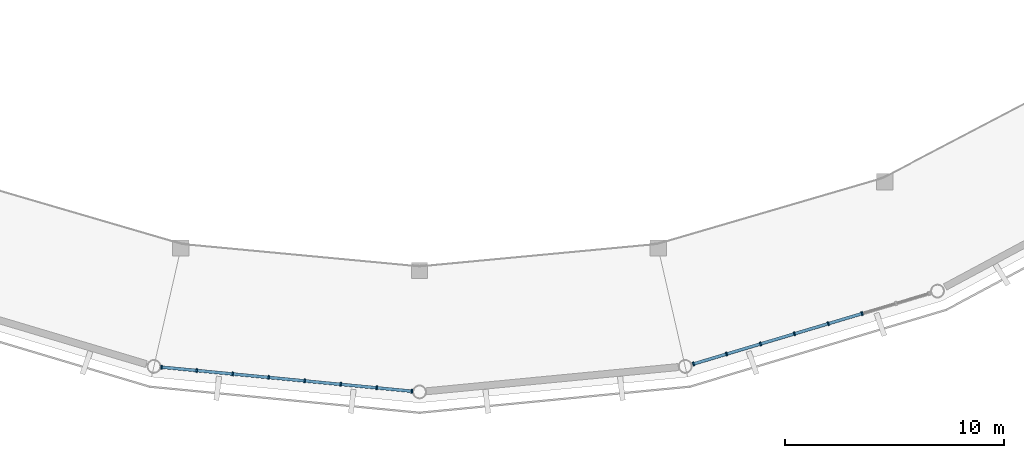
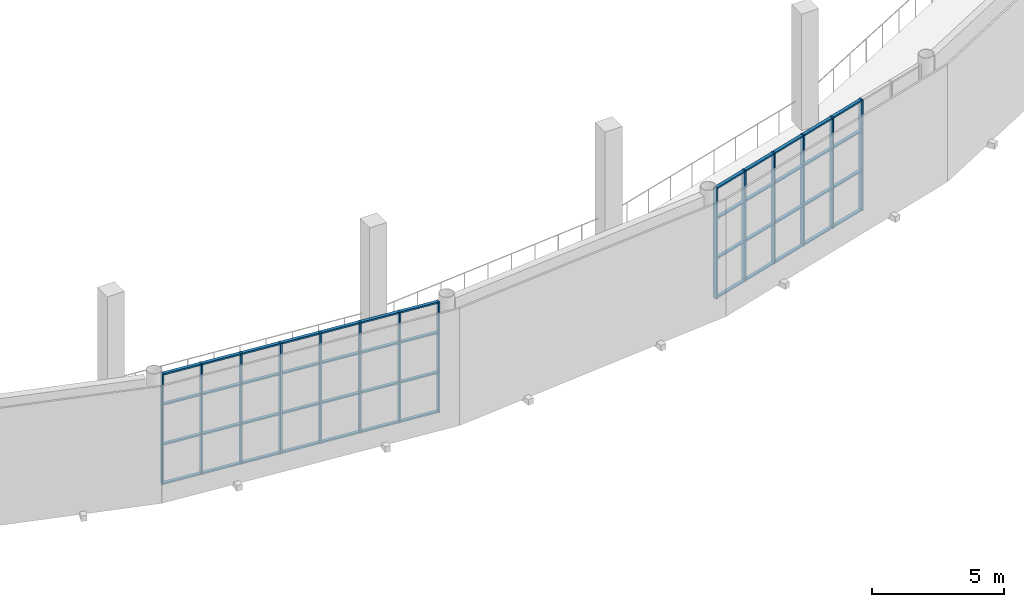
# One storey, part 13 of 40: 62 members, 2 elements without a shape of their own.
"""IFC4 building model written with IfcOpenShell, lengths in metres."""

from ifc_helpers import new_model, si_unit, direction, frame, origin, origin_2d, place, context, subcontext, project, spatial, rectangle, extrude, material, material_profile, profile_set, type_object, element, aggregate, save


model = new_model("IFC4")

# Units and contexts
model_context = context("Model", 3, precision=1e-05, world=origin(), true_north=direction((0.0, 1.0)))
body_context = subcontext(model_context, "Body", "Model", "MODEL_VIEW")
ifc_project = project(units=[si_unit("LENGTHUNIT", "METRE"), si_unit("AREAUNIT", "SQUARE_METRE"), si_unit("VOLUMEUNIT", "CUBIC_METRE"), si_unit("PLANEANGLEUNIT", "RADIAN"), si_unit("MASSUNIT", "GRAM", prefix="KILO")], contexts=[model_context])

# Site, building, storey
site_placement = place(None, origin())
site = spatial("IfcSite", under=ifc_project, at=site_placement, CompositionType="ELEMENT")
building_placement = place(site_placement, origin())
building = spatial("IfcBuilding", under=site, at=building_placement, Name="Cuetzalor Civic Arena", CompositionType="ELEMENT")
storey_placement = place(building_placement, frame((0.0, 0.0, 26.39990234375)))
storey = spatial("IfcBuildingStorey", under=building, at=storey_placement, Name="L05", CompositionType="ELEMENT", Elevation=26.39990234375)

# Curtain wall, members
ifc_material_1 = material(Name="Anodised dark bronze aluminium and low-E solar glass", Category="aluminium")
curtain_wall_type_1 = type_object("IfcCurtainWallType", Name="UnitisedCW_11550x5150", PredefinedType="USERDEFINED", material=ifc_material_1)
curtain_wall_1_placement = place(storey_placement, origin())
curtain_wall_1 = element("IfcCurtainWall", 1, at=curtain_wall_1_placement, inside=storey, type_object=curtain_wall_type_1, Name="Drum Triangle Foyer Curtain Wall L05-077", ObjectType="UNITISED CURTAIN WALL", PredefinedType="USERDEFINED")
ifc_material_2 = material(Name="Anodised dark bronze aluminium", Category="aluminium")
ifc_material_profile_1 = material_profile(ifc_material_2, rectangle(XDim=0.070068359375, YDim=0.179931640625, at=origin_2d()), Name="ALU MULLION 70x180")
ifc_profile_set_1 = profile_set([ifc_material_profile_1], Name="Anodised dark bronze aluminium")
member_type_1 = type_object("IfcMemberType", Name="CurtainWallMullion_65x180", PredefinedType="MULLION", material=ifc_profile_set_1)
member_1_placement = place(storey_placement, frame((-0.34814453125, -46.5166015625, 0.0), z_axis=(0.0, 0.0, 1.0), x_axis=(-0.995409139996, 0.095711253324, 0.0)))
member_1 = element("IfcMember", 2, at=member_1_placement, type_object=member_type_1, Name="CW-20 mullion 1", PredefinedType="MULLION", context=body_context, shape_type="SweptSolid", body=[
    extrude(rectangle(XDim=0.070068359375, YDim=0.179931640625, at=origin_2d()), origin(), (0.0, 0.0, 1.0), 5.135986328125),
])
member_2_placement = place(storey_placement, frame((-1.957763671875, -46.36181640625, 0.0), z_axis=(0.0, 0.0, 1.0), x_axis=(-0.995409139996, 0.095711253324, 0.0)))
member_2 = element("IfcMember", 3, at=member_2_placement, type_object=member_type_1, Name="CW-20 mullion 2", PredefinedType="MULLION", context=body_context, shape_type="SweptSolid", body=[
    extrude(rectangle(XDim=0.070068359375, YDim=0.179931640625, at=origin_2d()), origin(), (0.0, 0.0, 1.0), 5.135986328125),
])
member_3_placement = place(storey_placement, frame((-3.602294921875, -46.20361328125, 0.0), z_axis=(0.0, 0.0, 1.0), x_axis=(-0.995409139996, 0.095711253324, 0.0)))
member_3 = element("IfcMember", 4, at=member_3_placement, type_object=member_type_1, Name="CW-20 mullion 3", PredefinedType="MULLION", context=body_context, shape_type="SweptSolid", body=[
    extrude(rectangle(XDim=0.070068359375, YDim=0.179931640625, at=origin_2d()), origin(), (0.0, 0.0, 1.0), 5.135986328125),
])
member_4_placement = place(storey_placement, frame((-5.2470703125, -46.04541015625, 0.0), z_axis=(0.0, 0.0, 1.0), x_axis=(-0.995409139996, 0.095711253324, 0.0)))
member_4 = element("IfcMember", 5, at=member_4_placement, type_object=member_type_1, Name="CW-20 mullion 4", PredefinedType="MULLION", context=body_context, shape_type="SweptSolid", body=[
    extrude(rectangle(XDim=0.070068359375, YDim=0.179931640625, at=origin_2d()), origin(), (0.0, 0.0, 1.0), 5.135986328125),
])
member_5_placement = place(storey_placement, frame((-6.8916015625, -45.887451171875, 0.0), z_axis=(0.0, 0.0, 1.0), x_axis=(-0.995409139996, 0.095711253324, 0.0)))
member_5 = element("IfcMember", 6, at=member_5_placement, type_object=member_type_1, Name="CW-20 mullion 5", PredefinedType="MULLION", context=body_context, shape_type="SweptSolid", body=[
    extrude(rectangle(XDim=0.070068359375, YDim=0.179931640625, at=origin_2d()), origin(), (0.0, 0.0, 1.0), 5.135986328125),
])
member_6_placement = place(storey_placement, frame((-8.5361328125, -45.729248046875, 0.0), z_axis=(0.0, 0.0, 1.0), x_axis=(-0.995409139996, 0.095711253324, 0.0)))
member_6 = element("IfcMember", 7, at=member_6_placement, type_object=member_type_1, Name="CW-20 mullion 6", PredefinedType="MULLION", context=body_context, shape_type="SweptSolid", body=[
    extrude(rectangle(XDim=0.070068359375, YDim=0.179931640625, at=origin_2d()), origin(), (0.0, 0.0, 1.0), 5.135986328125),
])
member_7_placement = place(storey_placement, frame((-10.1806640625, -45.571044921875, 0.0), z_axis=(0.0, 0.0, 1.0), x_axis=(-0.995409139996, 0.095711253324, 0.0)))
member_7 = element("IfcMember", 8, at=member_7_placement, type_object=member_type_1, Name="CW-20 mullion 7", PredefinedType="MULLION", context=body_context, shape_type="SweptSolid", body=[
    extrude(rectangle(XDim=0.070068359375, YDim=0.179931640625, at=origin_2d()), origin(), (0.0, 0.0, 1.0), 5.135986328125),
])
member_8_placement = place(storey_placement, frame((-11.790283203125, -45.416259765625, 0.0), z_axis=(0.0, 0.0, 1.0), x_axis=(-0.995409139996, 0.095711253324, 0.0)))
member_8 = element("IfcMember", 9, at=member_8_placement, type_object=member_type_1, Name="CW-20 mullion 8", PredefinedType="MULLION", context=body_context, shape_type="SweptSolid", body=[
    extrude(rectangle(XDim=0.070068359375, YDim=0.179931640625, at=origin_2d()), origin(), (0.0, 0.0, 1.0), 5.135986328125),
])

ifc_material_3 = material(Name="Anodised dark bronze aluminium and low-E solar glass", Category="aluminium")
curtain_wall_type_2 = type_object("IfcCurtainWallType", Name="UnitisedCW_11300x5150", PredefinedType="USERDEFINED", material=ifc_material_3)
curtain_wall_2_placement = place(storey_placement, origin())
curtain_wall_2 = element("IfcCurtainWall", 10, at=curtain_wall_2_placement, inside=storey, type_object=curtain_wall_type_2, Name="Drum Triangle Foyer Curtain Wall L05-078", ObjectType="UNITISED CURTAIN WALL", PredefinedType="USERDEFINED")
member_9_placement = place(storey_placement, frame((20.2255859375, -42.968017578125, 0.0), z_axis=(0.0, 0.0, 1.0), x_axis=(-0.958193690548, -0.286120344251, 0.0)))
member_9 = element("IfcMember", 11, at=member_9_placement, type_object=member_type_1, Name="CW-21 mullion 3", PredefinedType="MULLION", context=body_context, shape_type="SweptSolid", body=[
    extrude(rectangle(XDim=0.070068359375, YDim=0.179931640625, at=origin_2d()), origin(), (0.0, 0.0, 1.0), 5.135986328125),
])
member_10_placement = place(storey_placement, frame((18.677490234375, -43.430419921875, 0.0), z_axis=(0.0, 0.0, 1.0), x_axis=(-0.958193690548, -0.286120344251, 0.0)))
member_10 = element("IfcMember", 12, at=member_10_placement, type_object=member_type_1, Name="CW-21 mullion 4", PredefinedType="MULLION", context=body_context, shape_type="SweptSolid", body=[
    extrude(rectangle(XDim=0.070068359375, YDim=0.179931640625, at=origin_2d()), origin(), (0.0, 0.0, 1.0), 5.135986328125),
])
member_11_placement = place(storey_placement, frame((17.12939453125, -43.892578125, 0.0), z_axis=(0.0, 0.0, 1.0), x_axis=(-0.958193690548, -0.286120344251, 0.0)))
member_11 = element("IfcMember", 13, at=member_11_placement, type_object=member_type_1, Name="CW-21 mullion 5", PredefinedType="MULLION", context=body_context, shape_type="SweptSolid", body=[
    extrude(rectangle(XDim=0.070068359375, YDim=0.179931640625, at=origin_2d()), origin(), (0.0, 0.0, 1.0), 5.135986328125),
])
member_12_placement = place(storey_placement, frame((15.581298828125, -44.35498046875, 0.0), z_axis=(0.0, 0.0, 1.0), x_axis=(-0.958193690548, -0.286120344251, 0.0)))
member_12 = element("IfcMember", 14, at=member_12_placement, type_object=member_type_1, Name="CW-21 mullion 6", PredefinedType="MULLION", context=body_context, shape_type="SweptSolid", body=[
    extrude(rectangle(XDim=0.070068359375, YDim=0.179931640625, at=origin_2d()), origin(), (0.0, 0.0, 1.0), 5.135986328125),
])
member_13_placement = place(storey_placement, frame((14.032958984375, -44.817138671875, 0.0), z_axis=(0.0, 0.0, 1.0), x_axis=(-0.958193690548, -0.286120344251, 0.0)))
member_13 = element("IfcMember", 15, at=member_13_placement, type_object=member_type_1, Name="CW-21 mullion 7", PredefinedType="MULLION", context=body_context, shape_type="SweptSolid", body=[
    extrude(rectangle(XDim=0.070068359375, YDim=0.179931640625, at=origin_2d()), origin(), (0.0, 0.0, 1.0), 5.135986328125),
])
member_14_placement = place(storey_placement, frame((12.5185546875, -45.26953125, 0.0), z_axis=(0.0, 0.0, 1.0), x_axis=(-0.958193690548, -0.286120344251, 0.0)))
member_14 = element("IfcMember", 16, at=member_14_placement, type_object=member_type_1, Name="CW-21 mullion 8", PredefinedType="MULLION", context=body_context, shape_type="SweptSolid", body=[
    extrude(rectangle(XDim=0.070068359375, YDim=0.179931640625, at=origin_2d()), origin(), (0.0, 0.0, 1.0), 5.135986328125),
])

# Member
ifc_material_4 = material(Name="Anodised dark bronze aluminium", Category="aluminium")
ifc_material_profile_2 = material_profile(ifc_material_4, rectangle(XDim=0.139892578125, YDim=0.070068359375, at=origin_2d()), Name="ALU TRANSOM 70x140")
ifc_profile_set_2 = profile_set([ifc_material_profile_2], Name="Anodised dark bronze aluminium")
member_type_2 = type_object("IfcMemberType", Name="CurtainWallTransom_65x140", PredefinedType="USERDEFINED", material=ifc_profile_set_2)
member_15_placement = place(storey_placement, frame((-0.383056640625, -46.51318359375, 0.03515625), z_axis=(-0.995417120932, 0.095628214218, 0.0), x_axis=(-0.095628214218, -0.995417120932, 0.0)))
member_15 = element("IfcMember", 17, at=member_15_placement, type_object=member_type_2, Name="CW-20 transom 1.1", ObjectType="TRANSOM", PredefinedType="USERDEFINED", context=body_context, shape_type="SweptSolid", body=[
    extrude(rectangle(XDim=0.139892578125, YDim=0.070068359375, at=origin_2d()), origin(), (0.0, 0.0, 1.0), 1.547119140625),
])

member_16_placement = place(storey_placement, frame((-0.383056640625, -46.51318359375, 1.84912109375), z_axis=(-0.995417120932, 0.095628214218, 0.0), x_axis=(-0.095628214218, -0.995417120932, 0.0)))
member_16 = element("IfcMember", 18, at=member_16_placement, type_object=member_type_2, Name="CW-20 transom 1.2", ObjectType="TRANSOM", PredefinedType="USERDEFINED", context=body_context, shape_type="SweptSolid", body=[
    extrude(rectangle(XDim=0.139892578125, YDim=0.070068359375, at=origin_2d()), origin(), (0.0, 0.0, 1.0), 1.547119140625),
])

member_17_placement = place(storey_placement, frame((-0.383056640625, -46.51318359375, 3.697998046875), z_axis=(-0.995417120932, 0.095628214218, 0.0), x_axis=(-0.095628214218, -0.995417120932, 0.0)))
member_17 = element("IfcMember", 19, at=member_17_placement, type_object=member_type_2, Name="CW-20 transom 1.3", ObjectType="TRANSOM", PredefinedType="USERDEFINED", context=body_context, shape_type="SweptSolid", body=[
    extrude(rectangle(XDim=0.139892578125, YDim=0.070068359375, at=origin_2d()), origin(), (0.0, 0.0, 1.0), 1.547119140625),
])

member_18_placement = place(storey_placement, frame((-0.383056640625, -46.51318359375, 5.10107421875), z_axis=(-0.995417120932, 0.095628214218, 0.0), x_axis=(-0.095628214218, -0.995417120932, 0.0)))
member_18 = element("IfcMember", 20, at=member_18_placement, type_object=member_type_2, Name="CW-20 transom 1.4", ObjectType="TRANSOM", PredefinedType="USERDEFINED", context=body_context, shape_type="SweptSolid", body=[
    extrude(rectangle(XDim=0.139892578125, YDim=0.070068359375, at=origin_2d()), origin(), (0.0, 0.0, 1.0), 1.547119140625),
])

member_19_placement = place(storey_placement, frame((-1.99267578125, -46.3583984375, 0.03515625), z_axis=(-0.99541326879, 0.09566830362, 0.0), x_axis=(-0.09566830362, -0.99541326879, 0.0)))
member_19 = element("IfcMember", 21, at=member_19_placement, type_object=member_type_2, Name="CW-20 transom 2.1", ObjectType="TRANSOM", PredefinedType="USERDEFINED", context=body_context, shape_type="SweptSolid", body=[
    extrude(rectangle(XDim=0.139892578125, YDim=0.070068359375, at=origin_2d()), origin(), (0.0, 0.0, 1.0), 1.582275390625),
])

member_20_placement = place(storey_placement, frame((-1.99267578125, -46.3583984375, 1.84912109375), z_axis=(-0.99541326879, 0.09566830362, 0.0), x_axis=(-0.09566830362, -0.99541326879, 0.0)))
member_20 = element("IfcMember", 22, at=member_20_placement, type_object=member_type_2, Name="CW-20 transom 2.2", ObjectType="TRANSOM", PredefinedType="USERDEFINED", context=body_context, shape_type="SweptSolid", body=[
    extrude(rectangle(XDim=0.139892578125, YDim=0.070068359375, at=origin_2d()), origin(), (0.0, 0.0, 1.0), 1.582275390625),
])

member_21_placement = place(storey_placement, frame((-1.99267578125, -46.3583984375, 3.697998046875), z_axis=(-0.99541326879, 0.09566830362, 0.0), x_axis=(-0.09566830362, -0.99541326879, 0.0)))
member_21 = element("IfcMember", 23, at=member_21_placement, type_object=member_type_2, Name="CW-20 transom 2.3", ObjectType="TRANSOM", PredefinedType="USERDEFINED", context=body_context, shape_type="SweptSolid", body=[
    extrude(rectangle(XDim=0.139892578125, YDim=0.070068359375, at=origin_2d()), origin(), (0.0, 0.0, 1.0), 1.582275390625),
])

member_22_placement = place(storey_placement, frame((-1.99267578125, -46.3583984375, 5.10107421875), z_axis=(-0.99541326879, 0.09566830362, 0.0), x_axis=(-0.09566830362, -0.99541326879, 0.0)))
member_22 = element("IfcMember", 24, at=member_22_placement, type_object=member_type_2, Name="CW-20 transom 2.4", ObjectType="TRANSOM", PredefinedType="USERDEFINED", context=body_context, shape_type="SweptSolid", body=[
    extrude(rectangle(XDim=0.139892578125, YDim=0.070068359375, at=origin_2d()), origin(), (0.0, 0.0, 1.0), 1.582275390625),
])

member_23_placement = place(storey_placement, frame((-3.63720703125, -46.2001953125, 0.03515625), z_axis=(-0.99541326879, 0.09566830362, 0.0), x_axis=(-0.09566830362, -0.99541326879, 0.0)))
member_23 = element("IfcMember", 25, at=member_23_placement, type_object=member_type_2, Name="CW-20 transom 3.1", ObjectType="TRANSOM", PredefinedType="USERDEFINED", context=body_context, shape_type="SweptSolid", body=[
    extrude(rectangle(XDim=0.139892578125, YDim=0.070068359375, at=origin_2d()), origin(), (0.0, 0.0, 1.0), 1.582275390625),
])

member_24_placement = place(storey_placement, frame((-3.63720703125, -46.2001953125, 1.84912109375), z_axis=(-0.99541326879, 0.09566830362, 0.0), x_axis=(-0.09566830362, -0.99541326879, 0.0)))
member_24 = element("IfcMember", 26, at=member_24_placement, type_object=member_type_2, Name="CW-20 transom 3.2", ObjectType="TRANSOM", PredefinedType="USERDEFINED", context=body_context, shape_type="SweptSolid", body=[
    extrude(rectangle(XDim=0.139892578125, YDim=0.070068359375, at=origin_2d()), origin(), (0.0, 0.0, 1.0), 1.582275390625),
])

member_25_placement = place(storey_placement, frame((-3.63720703125, -46.2001953125, 3.697998046875), z_axis=(-0.99541326879, 0.09566830362, 0.0), x_axis=(-0.09566830362, -0.99541326879, 0.0)))
member_25 = element("IfcMember", 27, at=member_25_placement, type_object=member_type_2, Name="CW-20 transom 3.3", ObjectType="TRANSOM", PredefinedType="USERDEFINED", context=body_context, shape_type="SweptSolid", body=[
    extrude(rectangle(XDim=0.139892578125, YDim=0.070068359375, at=origin_2d()), origin(), (0.0, 0.0, 1.0), 1.582275390625),
])

member_26_placement = place(storey_placement, frame((-3.63720703125, -46.2001953125, 5.10107421875), z_axis=(-0.99541326879, 0.09566830362, 0.0), x_axis=(-0.09566830362, -0.99541326879, 0.0)))
member_26 = element("IfcMember", 28, at=member_26_placement, type_object=member_type_2, Name="CW-20 transom 3.4", ObjectType="TRANSOM", PredefinedType="USERDEFINED", context=body_context, shape_type="SweptSolid", body=[
    extrude(rectangle(XDim=0.139892578125, YDim=0.070068359375, at=origin_2d()), origin(), (0.0, 0.0, 1.0), 1.582275390625),
])

member_27_placement = place(storey_placement, frame((-5.28173828125, -46.042236328125, 0.03515625), z_axis=(-0.995398563, 0.095821191695, 0.0), x_axis=(-0.095821191695, -0.995398563, 0.0)))
member_27 = element("IfcMember", 29, at=member_27_placement, type_object=member_type_2, Name="CW-20 transom 4.1", ObjectType="TRANSOM", PredefinedType="USERDEFINED", context=body_context, shape_type="SweptSolid", body=[
    extrude(rectangle(XDim=0.139892578125, YDim=0.070068359375, at=origin_2d()), origin(), (0.0, 0.0, 1.0), 1.582275390625),
])

member_28_placement = place(storey_placement, frame((-5.28173828125, -46.042236328125, 1.84912109375), z_axis=(-0.995398563, 0.095821191695, 0.0), x_axis=(-0.095821191695, -0.995398563, 0.0)))
member_28 = element("IfcMember", 30, at=member_28_placement, type_object=member_type_2, Name="CW-20 transom 4.2", ObjectType="TRANSOM", PredefinedType="USERDEFINED", context=body_context, shape_type="SweptSolid", body=[
    extrude(rectangle(XDim=0.139892578125, YDim=0.070068359375, at=origin_2d()), origin(), (0.0, 0.0, 1.0), 1.582275390625),
])

member_29_placement = place(storey_placement, frame((-5.28173828125, -46.042236328125, 3.697998046875), z_axis=(-0.995398563, 0.095821191695, 0.0), x_axis=(-0.095821191695, -0.995398563, 0.0)))
member_29 = element("IfcMember", 31, at=member_29_placement, type_object=member_type_2, Name="CW-20 transom 4.3", ObjectType="TRANSOM", PredefinedType="USERDEFINED", context=body_context, shape_type="SweptSolid", body=[
    extrude(rectangle(XDim=0.139892578125, YDim=0.070068359375, at=origin_2d()), origin(), (0.0, 0.0, 1.0), 1.582275390625),
])

member_30_placement = place(storey_placement, frame((-5.28173828125, -46.042236328125, 5.10107421875), z_axis=(-0.995398563, 0.095821191695, 0.0), x_axis=(-0.095821191695, -0.995398563, 0.0)))
member_30 = element("IfcMember", 32, at=member_30_placement, type_object=member_type_2, Name="CW-20 transom 4.4", ObjectType="TRANSOM", PredefinedType="USERDEFINED", context=body_context, shape_type="SweptSolid", body=[
    extrude(rectangle(XDim=0.139892578125, YDim=0.070068359375, at=origin_2d()), origin(), (0.0, 0.0, 1.0), 1.582275390625),
])

member_31_placement = place(storey_placement, frame((-6.92626953125, -45.884033203125, 0.03515625), z_axis=(-0.99541326879, 0.09566830362, 0.0), x_axis=(-0.09566830362, -0.99541326879, 0.0)))
member_31 = element("IfcMember", 33, at=member_31_placement, type_object=member_type_2, Name="CW-20 transom 5.1", ObjectType="TRANSOM", PredefinedType="USERDEFINED", context=body_context, shape_type="SweptSolid", body=[
    extrude(rectangle(XDim=0.139892578125, YDim=0.070068359375, at=origin_2d()), origin(), (0.0, 0.0, 1.0), 1.582275390625),
])

member_32_placement = place(storey_placement, frame((-6.92626953125, -45.884033203125, 1.84912109375), z_axis=(-0.99541326879, 0.09566830362, 0.0), x_axis=(-0.09566830362, -0.99541326879, 0.0)))
member_32 = element("IfcMember", 34, at=member_32_placement, type_object=member_type_2, Name="CW-20 transom 5.2", ObjectType="TRANSOM", PredefinedType="USERDEFINED", context=body_context, shape_type="SweptSolid", body=[
    extrude(rectangle(XDim=0.139892578125, YDim=0.070068359375, at=origin_2d()), origin(), (0.0, 0.0, 1.0), 1.582275390625),
])

member_33_placement = place(storey_placement, frame((-6.92626953125, -45.884033203125, 3.697998046875), z_axis=(-0.99541326879, 0.09566830362, 0.0), x_axis=(-0.09566830362, -0.99541326879, 0.0)))
member_33 = element("IfcMember", 35, at=member_33_placement, type_object=member_type_2, Name="CW-20 transom 5.3", ObjectType="TRANSOM", PredefinedType="USERDEFINED", context=body_context, shape_type="SweptSolid", body=[
    extrude(rectangle(XDim=0.139892578125, YDim=0.070068359375, at=origin_2d()), origin(), (0.0, 0.0, 1.0), 1.582275390625),
])

member_34_placement = place(storey_placement, frame((-6.92626953125, -45.884033203125, 5.10107421875), z_axis=(-0.99541326879, 0.09566830362, 0.0), x_axis=(-0.09566830362, -0.99541326879, 0.0)))
member_34 = element("IfcMember", 36, at=member_34_placement, type_object=member_type_2, Name="CW-20 transom 5.4", ObjectType="TRANSOM", PredefinedType="USERDEFINED", context=body_context, shape_type="SweptSolid", body=[
    extrude(rectangle(XDim=0.139892578125, YDim=0.070068359375, at=origin_2d()), origin(), (0.0, 0.0, 1.0), 1.582275390625),
])

member_35_placement = place(storey_placement, frame((-8.571044921875, -45.725830078125, 0.03515625), z_axis=(-0.995411856211, 0.095683000132, 0.0), x_axis=(-0.095683000132, -0.995411856211, 0.0)))
member_35 = element("IfcMember", 37, at=member_35_placement, type_object=member_type_2, Name="CW-20 transom 6.1", ObjectType="TRANSOM", PredefinedType="USERDEFINED", context=body_context, shape_type="SweptSolid", body=[
    extrude(rectangle(XDim=0.139892578125, YDim=0.070068359375, at=origin_2d()), origin(), (0.0, 0.0, 1.0), 1.58203125),
])

member_36_placement = place(storey_placement, frame((-8.571044921875, -45.725830078125, 1.84912109375), z_axis=(-0.995411856211, 0.095683000132, 0.0), x_axis=(-0.095683000132, -0.995411856211, 0.0)))
member_36 = element("IfcMember", 38, at=member_36_placement, type_object=member_type_2, Name="CW-20 transom 6.2", ObjectType="TRANSOM", PredefinedType="USERDEFINED", context=body_context, shape_type="SweptSolid", body=[
    extrude(rectangle(XDim=0.139892578125, YDim=0.070068359375, at=origin_2d()), origin(), (0.0, 0.0, 1.0), 1.58203125),
])

member_37_placement = place(storey_placement, frame((-8.571044921875, -45.725830078125, 3.697998046875), z_axis=(-0.995411856211, 0.095683000132, 0.0), x_axis=(-0.095683000132, -0.995411856211, 0.0)))
member_37 = element("IfcMember", 39, at=member_37_placement, type_object=member_type_2, Name="CW-20 transom 6.3", ObjectType="TRANSOM", PredefinedType="USERDEFINED", context=body_context, shape_type="SweptSolid", body=[
    extrude(rectangle(XDim=0.139892578125, YDim=0.070068359375, at=origin_2d()), origin(), (0.0, 0.0, 1.0), 1.58203125),
])

member_38_placement = place(storey_placement, frame((-8.571044921875, -45.725830078125, 5.10107421875), z_axis=(-0.995411856211, 0.095683000132, 0.0), x_axis=(-0.095683000132, -0.995411856211, 0.0)))
member_38 = element("IfcMember", 40, at=member_38_placement, type_object=member_type_2, Name="CW-20 transom 6.4", ObjectType="TRANSOM", PredefinedType="USERDEFINED", context=body_context, shape_type="SweptSolid", body=[
    extrude(rectangle(XDim=0.139892578125, YDim=0.070068359375, at=origin_2d()), origin(), (0.0, 0.0, 1.0), 1.58203125),
])

member_39_placement = place(storey_placement, frame((-10.215576171875, -45.56787109375, 0.03515625), z_axis=(-0.995402087681, 0.095784569946, 0.0), x_axis=(-0.095784569946, -0.995402087681, 0.0)))
member_39 = element("IfcMember", 41, at=member_39_placement, type_object=member_type_2, Name="CW-20 transom 7.1", ObjectType="TRANSOM", PredefinedType="USERDEFINED", context=body_context, shape_type="SweptSolid", body=[
    extrude(rectangle(XDim=0.139892578125, YDim=0.070068359375, at=origin_2d()), origin(), (0.0, 0.0, 1.0), 1.547119140625),
])

member_40_placement = place(storey_placement, frame((-10.215576171875, -45.56787109375, 1.84912109375), z_axis=(-0.995402087681, 0.095784569946, 0.0), x_axis=(-0.095784569946, -0.995402087681, 0.0)))
member_40 = element("IfcMember", 42, at=member_40_placement, type_object=member_type_2, Name="CW-20 transom 7.2", ObjectType="TRANSOM", PredefinedType="USERDEFINED", context=body_context, shape_type="SweptSolid", body=[
    extrude(rectangle(XDim=0.139892578125, YDim=0.070068359375, at=origin_2d()), origin(), (0.0, 0.0, 1.0), 1.547119140625),
])

member_41_placement = place(storey_placement, frame((-10.215576171875, -45.56787109375, 3.697998046875), z_axis=(-0.995402087681, 0.095784569946, 0.0), x_axis=(-0.095784569946, -0.995402087681, 0.0)))
member_41 = element("IfcMember", 43, at=member_41_placement, type_object=member_type_2, Name="CW-20 transom 7.3", ObjectType="TRANSOM", PredefinedType="USERDEFINED", context=body_context, shape_type="SweptSolid", body=[
    extrude(rectangle(XDim=0.139892578125, YDim=0.070068359375, at=origin_2d()), origin(), (0.0, 0.0, 1.0), 1.547119140625),
])

member_42_placement = place(storey_placement, frame((-10.215576171875, -45.56787109375, 5.10107421875), z_axis=(-0.995402087681, 0.095784569946, 0.0), x_axis=(-0.095784569946, -0.995402087681, 0.0)))
member_42 = element("IfcMember", 44, at=member_42_placement, type_object=member_type_2, Name="CW-20 transom 7.4", ObjectType="TRANSOM", PredefinedType="USERDEFINED", context=body_context, shape_type="SweptSolid", body=[
    extrude(rectangle(XDim=0.139892578125, YDim=0.070068359375, at=origin_2d()), origin(), (0.0, 0.0, 1.0), 1.547119140625),
])

aggregate(curtain_wall_1, [member_1, member_2, member_3, member_4, member_5, member_6, member_7, member_8, member_15, member_16, member_17, member_18, member_19, member_20, member_21, member_22, member_23, member_24, member_25, member_26, member_27, member_28, member_29, member_30, member_31, member_32, member_33, member_34, member_35, member_36, member_37, member_38, member_39, member_40, member_41, member_42])

member_43_placement = place(storey_placement, frame((20.192138671875, -42.97802734375, 0.03515625), z_axis=(-0.958164717752, -0.286217353869, 0.0), x_axis=(0.286217353869, -0.958164717752, 0.0)))
member_43 = element("IfcMember", 45, at=member_43_placement, type_object=member_type_2, Name="CW-21 transom 3.1", ObjectType="TRANSOM", PredefinedType="USERDEFINED", context=body_context, shape_type="SweptSolid", body=[
    extrude(rectangle(XDim=0.139892578125, YDim=0.070068359375, at=origin_2d()), origin(), (0.0, 0.0, 1.0), 1.545654296875),
])

member_44_placement = place(storey_placement, frame((20.192138671875, -42.97802734375, 1.84912109375), z_axis=(-0.958164717752, -0.286217353869, 0.0), x_axis=(0.286217353869, -0.958164717752, 0.0)))
member_44 = element("IfcMember", 46, at=member_44_placement, type_object=member_type_2, Name="CW-21 transom 3.2", ObjectType="TRANSOM", PredefinedType="USERDEFINED", context=body_context, shape_type="SweptSolid", body=[
    extrude(rectangle(XDim=0.139892578125, YDim=0.070068359375, at=origin_2d()), origin(), (0.0, 0.0, 1.0), 1.545654296875),
])

member_45_placement = place(storey_placement, frame((20.192138671875, -42.97802734375, 3.697998046875), z_axis=(-0.958164717752, -0.286217353869, 0.0), x_axis=(0.286217353869, -0.958164717752, 0.0)))
member_45 = element("IfcMember", 47, at=member_45_placement, type_object=member_type_2, Name="CW-21 transom 3.3", ObjectType="TRANSOM", PredefinedType="USERDEFINED", context=body_context, shape_type="SweptSolid", body=[
    extrude(rectangle(XDim=0.139892578125, YDim=0.070068359375, at=origin_2d()), origin(), (0.0, 0.0, 1.0), 1.545654296875),
])

member_46_placement = place(storey_placement, frame((20.192138671875, -42.97802734375, 5.10107421875), z_axis=(-0.958164717752, -0.286217353869, 0.0), x_axis=(0.286217353869, -0.958164717752, 0.0)))
member_46 = element("IfcMember", 48, at=member_46_placement, type_object=member_type_2, Name="CW-21 transom 3.4", ObjectType="TRANSOM", PredefinedType="USERDEFINED", context=body_context, shape_type="SweptSolid", body=[
    extrude(rectangle(XDim=0.139892578125, YDim=0.070068359375, at=origin_2d()), origin(), (0.0, 0.0, 1.0), 1.545654296875),
])

member_47_placement = place(storey_placement, frame((18.64404296875, -43.4404296875, 0.03515625), z_axis=(-0.958220951688, -0.286029033049, 0.0), x_axis=(0.286029033049, -0.958220951688, 0.0)))
member_47 = element("IfcMember", 49, at=member_47_placement, type_object=member_type_2, Name="CW-21 transom 4.1", ObjectType="TRANSOM", PredefinedType="USERDEFINED", context=body_context, shape_type="SweptSolid", body=[
    extrude(rectangle(XDim=0.139892578125, YDim=0.070068359375, at=origin_2d()), origin(), (0.0, 0.0, 1.0), 1.5458984375),
])

member_48_placement = place(storey_placement, frame((18.64404296875, -43.4404296875, 1.84912109375), z_axis=(-0.958220951688, -0.286029033049, 0.0), x_axis=(0.286029033049, -0.958220951688, 0.0)))
member_48 = element("IfcMember", 50, at=member_48_placement, type_object=member_type_2, Name="CW-21 transom 4.2", ObjectType="TRANSOM", PredefinedType="USERDEFINED", context=body_context, shape_type="SweptSolid", body=[
    extrude(rectangle(XDim=0.139892578125, YDim=0.070068359375, at=origin_2d()), origin(), (0.0, 0.0, 1.0), 1.5458984375),
])

member_49_placement = place(storey_placement, frame((18.64404296875, -43.4404296875, 3.697998046875), z_axis=(-0.958220951688, -0.286029033049, 0.0), x_axis=(0.286029033049, -0.958220951688, 0.0)))
member_49 = element("IfcMember", 51, at=member_49_placement, type_object=member_type_2, Name="CW-21 transom 4.3", ObjectType="TRANSOM", PredefinedType="USERDEFINED", context=body_context, shape_type="SweptSolid", body=[
    extrude(rectangle(XDim=0.139892578125, YDim=0.070068359375, at=origin_2d()), origin(), (0.0, 0.0, 1.0), 1.5458984375),
])

member_50_placement = place(storey_placement, frame((18.64404296875, -43.4404296875, 5.10107421875), z_axis=(-0.958220951688, -0.286029033049, 0.0), x_axis=(0.286029033049, -0.958220951688, 0.0)))
member_50 = element("IfcMember", 52, at=member_50_placement, type_object=member_type_2, Name="CW-21 transom 4.4", ObjectType="TRANSOM", PredefinedType="USERDEFINED", context=body_context, shape_type="SweptSolid", body=[
    extrude(rectangle(XDim=0.139892578125, YDim=0.070068359375, at=origin_2d()), origin(), (0.0, 0.0, 1.0), 1.5458984375),
])

member_51_placement = place(storey_placement, frame((17.095947265625, -43.902587890625, 0.03515625), z_axis=(-0.958177654678, -0.286174041582, 0.0), x_axis=(0.286174041582, -0.958177654678, 0.0)))
member_51 = element("IfcMember", 53, at=member_51_placement, type_object=member_type_2, Name="CW-21 transom 5.1", ObjectType="TRANSOM", PredefinedType="USERDEFINED", context=body_context, shape_type="SweptSolid", body=[
    extrude(rectangle(XDim=0.139892578125, YDim=0.070068359375, at=origin_2d()), origin(), (0.0, 0.0, 1.0), 1.5458984375),
])

member_52_placement = place(storey_placement, frame((17.095947265625, -43.902587890625, 1.84912109375), z_axis=(-0.958177654678, -0.286174041582, 0.0), x_axis=(0.286174041582, -0.958177654678, 0.0)))
member_52 = element("IfcMember", 54, at=member_52_placement, type_object=member_type_2, Name="CW-21 transom 5.2", ObjectType="TRANSOM", PredefinedType="USERDEFINED", context=body_context, shape_type="SweptSolid", body=[
    extrude(rectangle(XDim=0.139892578125, YDim=0.070068359375, at=origin_2d()), origin(), (0.0, 0.0, 1.0), 1.5458984375),
])

member_53_placement = place(storey_placement, frame((17.095947265625, -43.902587890625, 3.697998046875), z_axis=(-0.958177654678, -0.286174041582, 0.0), x_axis=(0.286174041582, -0.958177654678, 0.0)))
member_53 = element("IfcMember", 55, at=member_53_placement, type_object=member_type_2, Name="CW-21 transom 5.3", ObjectType="TRANSOM", PredefinedType="USERDEFINED", context=body_context, shape_type="SweptSolid", body=[
    extrude(rectangle(XDim=0.139892578125, YDim=0.070068359375, at=origin_2d()), origin(), (0.0, 0.0, 1.0), 1.5458984375),
])

member_54_placement = place(storey_placement, frame((17.095947265625, -43.902587890625, 5.10107421875), z_axis=(-0.958177654678, -0.286174041582, 0.0), x_axis=(0.286174041582, -0.958177654678, 0.0)))
member_54 = element("IfcMember", 56, at=member_54_placement, type_object=member_type_2, Name="CW-21 transom 5.4", ObjectType="TRANSOM", PredefinedType="USERDEFINED", context=body_context, shape_type="SweptSolid", body=[
    extrude(rectangle(XDim=0.139892578125, YDim=0.070068359375, at=origin_2d()), origin(), (0.0, 0.0, 1.0), 1.5458984375),
])

member_55_placement = place(storey_placement, frame((15.547607421875, -44.364990234375, 0.03515625), z_axis=(-0.958208027284, -0.286072327302, 0.0), x_axis=(0.286072327302, -0.958208027284, 0.0)))
member_55 = element("IfcMember", 57, at=member_55_placement, type_object=member_type_2, Name="CW-21 transom 6.1", ObjectType="TRANSOM", PredefinedType="USERDEFINED", context=body_context, shape_type="SweptSolid", body=[
    extrude(rectangle(XDim=0.139892578125, YDim=0.070068359375, at=origin_2d()), origin(), (0.0, 0.0, 1.0), 1.545654296875),
])

member_56_placement = place(storey_placement, frame((15.547607421875, -44.364990234375, 1.84912109375), z_axis=(-0.958208027284, -0.286072327302, 0.0), x_axis=(0.286072327302, -0.958208027284, 0.0)))
member_56 = element("IfcMember", 58, at=member_56_placement, type_object=member_type_2, Name="CW-21 transom 6.2", ObjectType="TRANSOM", PredefinedType="USERDEFINED", context=body_context, shape_type="SweptSolid", body=[
    extrude(rectangle(XDim=0.139892578125, YDim=0.070068359375, at=origin_2d()), origin(), (0.0, 0.0, 1.0), 1.545654296875),
])

member_57_placement = place(storey_placement, frame((15.547607421875, -44.364990234375, 3.697998046875), z_axis=(-0.958208027284, -0.286072327302, 0.0), x_axis=(0.286072327302, -0.958208027284, 0.0)))
member_57 = element("IfcMember", 59, at=member_57_placement, type_object=member_type_2, Name="CW-21 transom 6.3", ObjectType="TRANSOM", PredefinedType="USERDEFINED", context=body_context, shape_type="SweptSolid", body=[
    extrude(rectangle(XDim=0.139892578125, YDim=0.070068359375, at=origin_2d()), origin(), (0.0, 0.0, 1.0), 1.545654296875),
])

member_58_placement = place(storey_placement, frame((15.547607421875, -44.364990234375, 5.10107421875), z_axis=(-0.958208027284, -0.286072327302, 0.0), x_axis=(0.286072327302, -0.958208027284, 0.0)))
member_58 = element("IfcMember", 60, at=member_58_placement, type_object=member_type_2, Name="CW-21 transom 6.4", ObjectType="TRANSOM", PredefinedType="USERDEFINED", context=body_context, shape_type="SweptSolid", body=[
    extrude(rectangle(XDim=0.139892578125, YDim=0.070068359375, at=origin_2d()), origin(), (0.0, 0.0, 1.0), 1.545654296875),
])

member_59_placement = place(storey_placement, frame((13.99951171875, -44.8271484375, 0.03515625), z_axis=(-0.958168093169, -0.286206053804, 0.0), x_axis=(0.286206053804, -0.958168093169, 0.0)))
member_59 = element("IfcMember", 61, at=member_59_placement, type_object=member_type_2, Name="CW-21 transom 7.1", ObjectType="TRANSOM", PredefinedType="USERDEFINED", context=body_context, shape_type="SweptSolid", body=[
    extrude(rectangle(XDim=0.139892578125, YDim=0.070068359375, at=origin_2d()), origin(), (0.0, 0.0, 1.0), 1.5107421875),
])

member_60_placement = place(storey_placement, frame((13.99951171875, -44.8271484375, 1.84912109375), z_axis=(-0.958168093169, -0.286206053804, 0.0), x_axis=(0.286206053804, -0.958168093169, 0.0)))
member_60 = element("IfcMember", 62, at=member_60_placement, type_object=member_type_2, Name="CW-21 transom 7.2", ObjectType="TRANSOM", PredefinedType="USERDEFINED", context=body_context, shape_type="SweptSolid", body=[
    extrude(rectangle(XDim=0.139892578125, YDim=0.070068359375, at=origin_2d()), origin(), (0.0, 0.0, 1.0), 1.5107421875),
])

member_61_placement = place(storey_placement, frame((13.99951171875, -44.8271484375, 3.697998046875), z_axis=(-0.958168093169, -0.286206053804, 0.0), x_axis=(0.286206053804, -0.958168093169, 0.0)))
member_61 = element("IfcMember", 63, at=member_61_placement, type_object=member_type_2, Name="CW-21 transom 7.3", ObjectType="TRANSOM", PredefinedType="USERDEFINED", context=body_context, shape_type="SweptSolid", body=[
    extrude(rectangle(XDim=0.139892578125, YDim=0.070068359375, at=origin_2d()), origin(), (0.0, 0.0, 1.0), 1.5107421875),
])

member_62_placement = place(storey_placement, frame((13.99951171875, -44.8271484375, 5.10107421875), z_axis=(-0.958168093169, -0.286206053804, 0.0), x_axis=(0.286206053804, -0.958168093169, 0.0)))
member_62 = element("IfcMember", 64, at=member_62_placement, type_object=member_type_2, Name="CW-21 transom 7.4", ObjectType="TRANSOM", PredefinedType="USERDEFINED", context=body_context, shape_type="SweptSolid", body=[
    extrude(rectangle(XDim=0.139892578125, YDim=0.070068359375, at=origin_2d()), origin(), (0.0, 0.0, 1.0), 1.5107421875),
])

aggregate(curtain_wall_2, [member_9, member_10, member_11, member_12, member_13, member_14, member_43, member_44, member_45, member_46, member_47, member_48, member_49, member_50, member_51, member_52, member_53, member_54, member_55, member_56, member_57, member_58, member_59, member_60, member_61, member_62])

save(model, "model.ifc")
